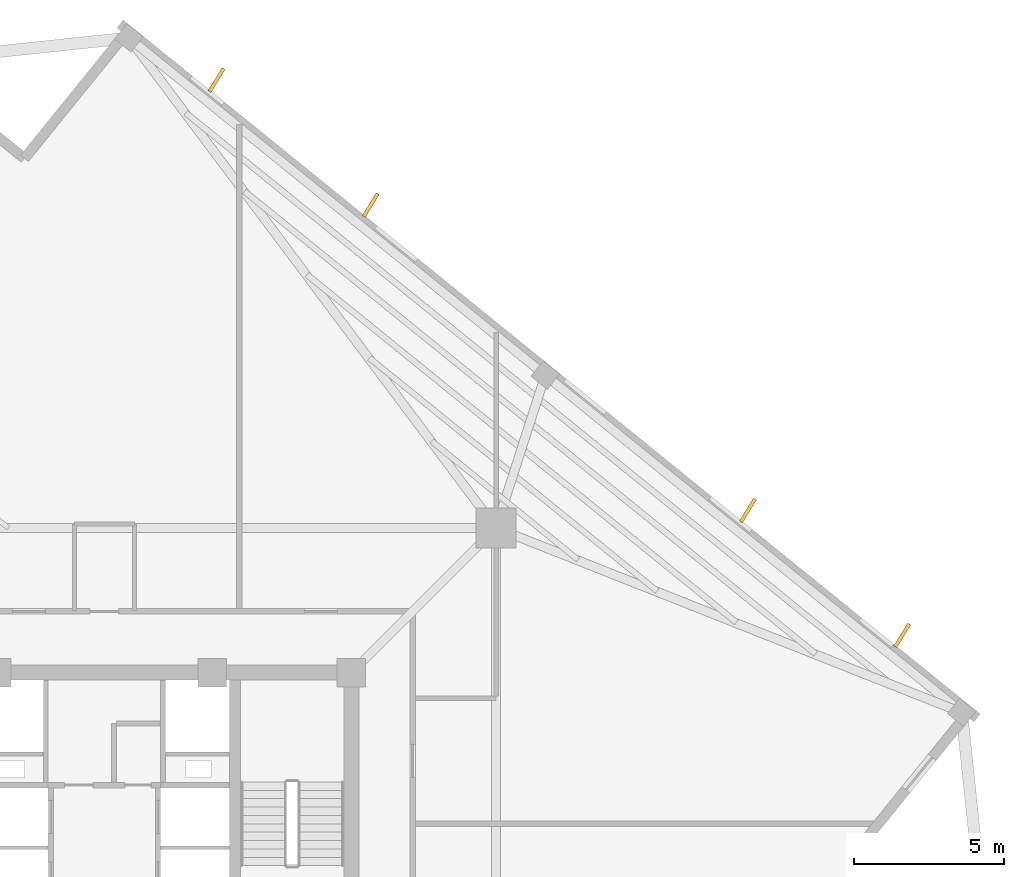
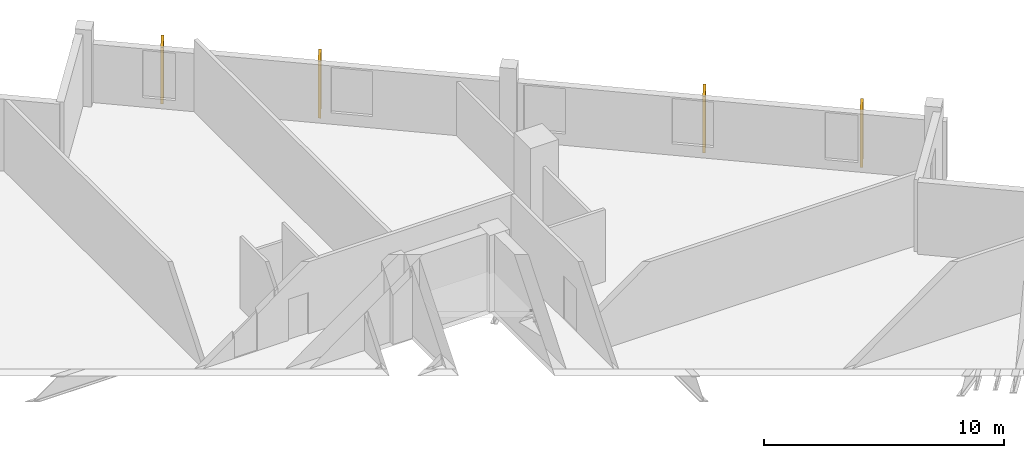
# One storey, part 9 of 9: 4 coverings.
"""IFC4 building model written with IfcOpenShell, lengths in metres."""

from ifc_helpers import new_model, si_unit, direction, frame, origin, origin_2d, place, context, subcontext, project, spatial, rectangle, extrude, source, transform, mapped, material, layer, layer_set, type_object, element, save


model = new_model("IFC4")

# Units and contexts
model_context = context("Model", 3, precision=1e-05, world=origin(), true_north=direction((0.0, 1.0)))
body_context = subcontext(model_context, "Body", "Model", "MODEL_VIEW")
ifc_project = project(units=[si_unit("LENGTHUNIT", "METRE"), si_unit("AREAUNIT", "SQUARE_METRE"), si_unit("VOLUMEUNIT", "CUBIC_METRE"), si_unit("PLANEANGLEUNIT", "RADIAN"), si_unit("MASSUNIT", "GRAM", prefix="KILO"), si_unit("THERMODYNAMICTEMPERATUREUNIT", "KELVIN")], contexts=[model_context])

# Site, building, storey
site_placement = place(None, origin())
site = spatial("IfcSite", under=ifc_project, at=site_placement, CompositionType="ELEMENT")
building_placement = place(site_placement, origin())
building = spatial("IfcBuilding", under=site, at=building_placement, Name="Kosmvard Interchange Tower", CompositionType="ELEMENT")
storey_placement = place(building_placement, frame((0.0, 0.0, 236.800048828125)))
storey = spatial("IfcBuildingStorey", under=building, at=storey_placement, Name="L57", CompositionType="ELEMENT", Elevation=236.800048828125)

# Coverings
ifc_material = material(Name="Architectural anodised aluminium", Category="aluminium")
ifc_layer = layer(ifc_material, 0.1201171875, Name="Architectural anodised aluminium")
ifc_layer_set = layer_set([ifc_layer], Name="Architectural anodised aluminium")
covering_type = type_object("IfcCoveringType", Name="Rotating Vertical Sun-Breaker Fin 900x120 Aluminium", PredefinedType="CLADDING", material=ifc_layer_set)
shared_shape = source(origin(), body_context, "Body", "SweptSolid", [
    extrude(rectangle(XDim=0.89990234375, YDim=0.1201171875, at=origin_2d()), origin(), (0.0, 0.0, 1.0), 2.8798828125),
])
for number, where, z_axis, x_axis, name in (
    (1, (26.650146484375, 9.494384765625, 0.0400390625), (0.0, 0.0, 1.0), (0.523391160753, 0.852092537724, 0.0), "L57 Rotating Vertical Sun-Breaker Fin 05"),
    (2, (21.49658203125, 13.66748046875, 0.0400390625), (0.0, 0.0, 1.0), (0.523391160753, 0.852092537724, 0.0), "L57 Rotating Vertical Sun-Breaker Fin 06"),
    (3, (8.8994140625, 23.86865234375, 0.0400390625), (0.0, 0.0, 1.0), (0.523391160753, 0.852092537724, 0.0), "L57 Rotating Vertical Sun-Breaker Fin 07"),
    (4, (3.74609375, 28.041748046875, 0.0400390625), (0.0, 0.0, 1.0), (0.523391160753, 0.852092537724, 0.0), "L57 Rotating Vertical Sun-Breaker Fin 08"),
):
    element("IfcCovering", number, at=place(storey_placement, frame(where, z_axis=z_axis, x_axis=x_axis)), inside=storey, type_object=covering_type, Name=name, PredefinedType="CLADDING", context=body_context, shape_type="MappedRepresentation", body=[
        mapped(shared_shape, transform((0.0, 0.0, 0.0), scale=1.0)),
    ])

save(model, "model.ifc")
